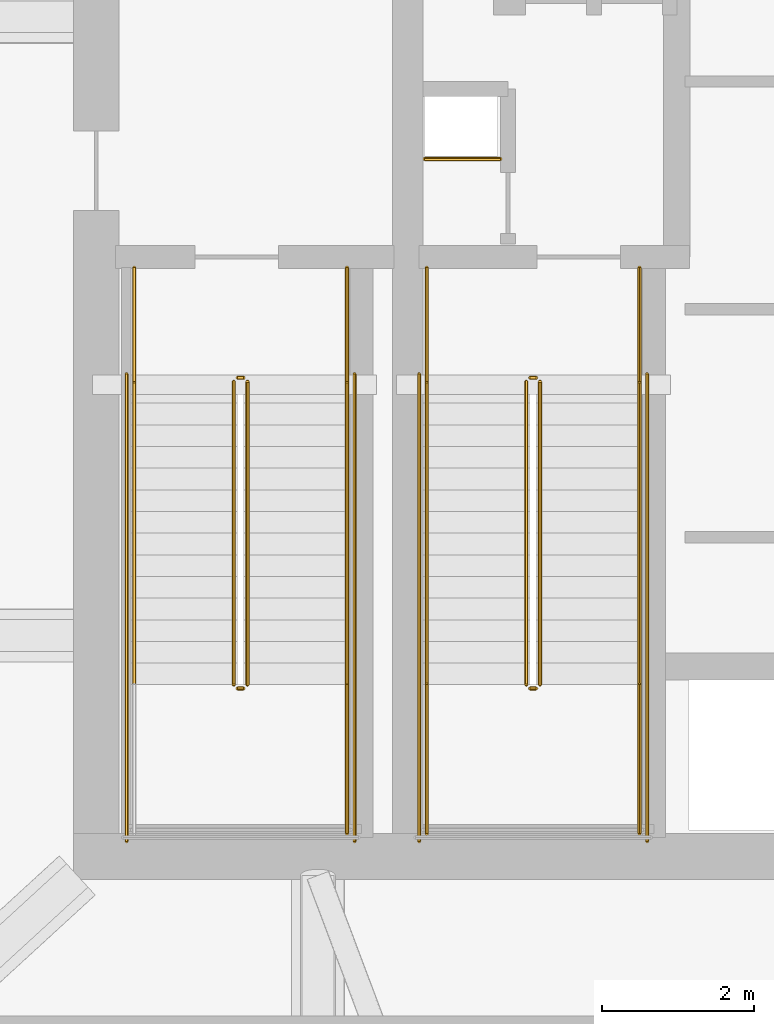
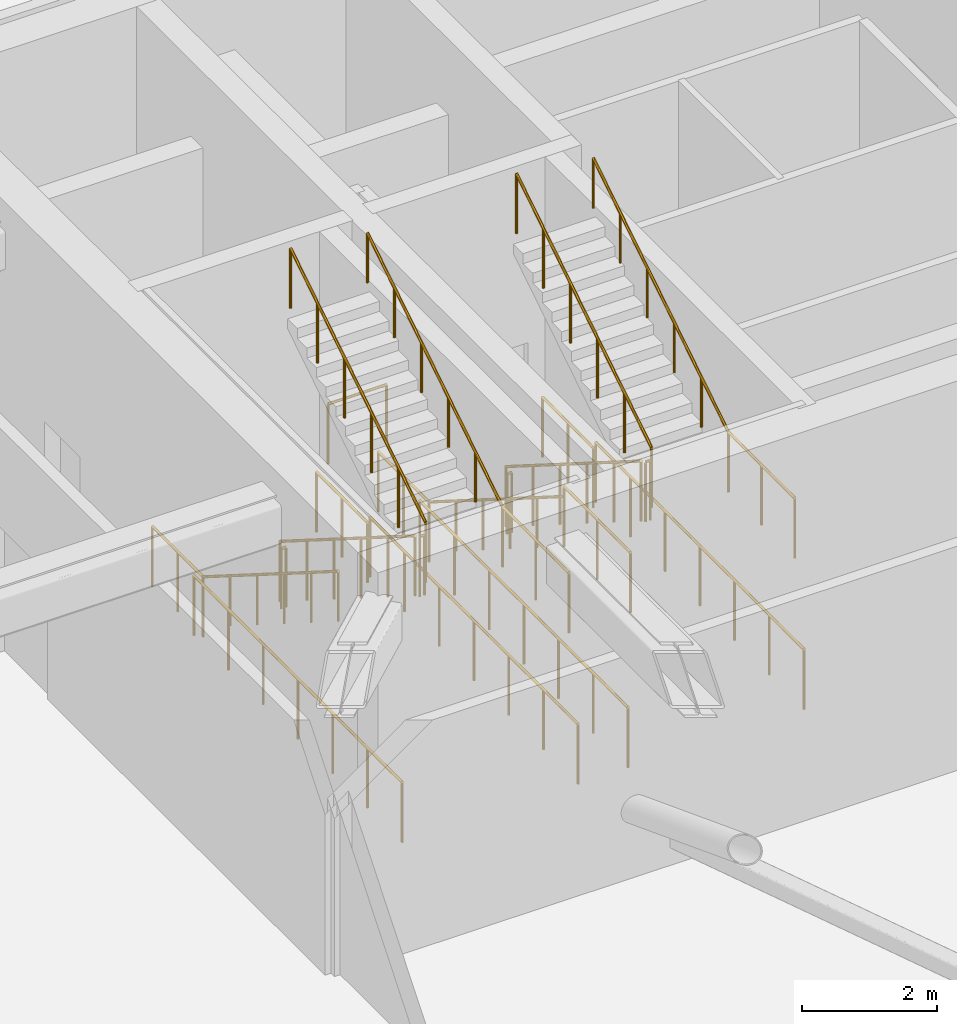
# One storey, part 11 of 13: 24 railings.
"""IFC4 building model written with IfcOpenShell, lengths in metres."""

import ifcopenshell
import ifcopenshell.guid

model = None  # the IFC model being written
_history = None  # IfcOwnerHistory: only IFC2X3 demands one
_inside = {}  # id of a spatial element -> (the spatial element, [elements in it])
_under = {}  # id of a project, library or spatial element -> (it, [spatial elements below it])
_declared = {}  # id of a project -> (the project, [libraries it declares])
_typed = {}  # id of a type object -> (the type object, [elements of that type])
_made_of = {}  # id of a material, layer set ... -> (it, [elements and type objects made of it])


def new_model(schema):
    """Start an empty IFC model of exactly this schema.

    Asked for "IFC4X3", IfcOpenShell would pick the latest addendum, in which some entities
    have other attributes; the version numbers below select the first issue.
    IFC2X3 requires an IfcOwnerHistory on every rooted entity: one is made here for all.
    """
    global model, _history
    if schema == "IFC4X3":
        model = ifcopenshell.file(schema_version=(4, 3, 0, 0))
    else:
        model = ifcopenshell.file(schema=schema)
    _inside.clear()
    _under.clear()
    _declared.clear()
    _typed.clear()
    _made_of.clear()
    _history = None
    if model.schema == "IFC2X3":
        org = make("IfcOrganization", Name="unknown")
        user = make(
            "IfcPersonAndOrganization",
            ThePerson=make("IfcPerson", FamilyName="unknown"),
            TheOrganization=org,
        )
        app = make(
            "IfcApplication",
            ApplicationDeveloper=org,
            Version="unknown",
            ApplicationFullName="unknown",
            ApplicationIdentifier="unknown",
        )
        _history = make(
            "IfcOwnerHistory",
            OwningUser=user,
            OwningApplication=app,
            ChangeAction="ADDED",
            CreationDate=0,
        )
    return model


def make(cls, **values):
    """One entity of the class cls with the attributes given. An attribute that is None is left unset."""
    return model.create_entity(
        cls, **{name: value for name, value in values.items() if value is not None}
    )


def rooted(cls, **values):
    """An entity with a GlobalId (a new one), such as an element, a storey or a relation."""
    return make(cls, GlobalId=ifcopenshell.guid.new(), OwnerHistory=_history, **values)


def si_unit(unit_type, name, prefix=None):
    """IfcSIUnit, for example si_unit("LENGTHUNIT", "METRE", prefix="MILLI")."""
    return make("IfcSIUnit", UnitType=unit_type, Prefix=prefix, Name=name)


def assignment(units):
    """IfcUnitAssignment: the units of a project."""
    return None if units is None else make("IfcUnitAssignment", Units=units)


def point(xyz):
    """IfcCartesianPoint."""
    return None if xyz is None else make("IfcCartesianPoint", Coordinates=xyz)


def direction(xyz):
    """IfcDirection."""
    return None if xyz is None else make("IfcDirection", DirectionRatios=xyz)


def frame(location, z_axis=None, x_axis=None):
    """IfcAxis2Placement3D, a coordinate frame: its origin and axes. An axis left out is left unset."""
    return make(
        "IfcAxis2Placement3D",
        Location=point(location),
        Axis=direction(z_axis),
        RefDirection=direction(x_axis),
    )


def frame_2d(location, x_axis=None):
    """IfcAxis2Placement2D, a coordinate frame in the plane: its origin and x axis."""
    return make(
        "IfcAxis2Placement2D", Location=point(location), RefDirection=direction(x_axis)
    )


def origin():
    """The frame at (0, 0, 0) with its axes left unset."""
    return frame((0.0, 0.0, 0.0))


def origin_2d():
    """The frame at (0, 0) in the plane with its x axis left unset."""
    return frame_2d((0.0, 0.0))


def place(relative_to, where):
    """IfcLocalPlacement: puts the frame where relative to a parent placement (None: the world)."""
    return make(
        "IfcLocalPlacement", PlacementRelTo=relative_to, RelativePlacement=where
    )


def context(
    kind, dimensions, precision=None, world=None, true_north=None, identifier=None
):
    """IfcGeometricRepresentationContext, for example the 3D "Model" context."""
    return make(
        "IfcGeometricRepresentationContext",
        ContextIdentifier=identifier,
        ContextType=kind,
        CoordinateSpaceDimension=dimensions,
        Precision=precision,
        WorldCoordinateSystem=world,
        TrueNorth=true_north,
    )


def subcontext(parent, identifier, kind, view, scale=None):
    """IfcGeometricRepresentationSubContext, for example "Body" below "Model"."""
    return make(
        "IfcGeometricRepresentationSubContext",
        ContextIdentifier=identifier,
        ContextType=kind,
        ParentContext=parent,
        TargetScale=scale,
        TargetView=view,
    )


def project(units=None, contexts=None):
    """IfcProject with its units and contexts."""
    return rooted(
        "IfcProject",
        Name="project",
        RepresentationContexts=contexts,
        UnitsInContext=assignment(units),
    )


def spatial(cls, under=None, at=None, **own):
    """A site, building, storey or space (cls), placed at a placement, below another one or the project."""
    s = rooted(cls, ObjectPlacement=at, **own)
    if under is not None:
        _under.setdefault(under.id(), (under, []))[1].append(s)
    return s


def profile(cls, at=None, kind="AREA", **sizes):
    """A parametric profile (cls). Its sizes go by their IFC names, for example OverallWidth=200.0."""
    return make(cls, ProfileType=kind, Position=at, **sizes)


def circle(**sizes):
    """IfcCircleProfileDef."""
    return profile("IfcCircleProfileDef", **sizes)


def extrude(swept, where, along, depth):
    """IfcExtrudedAreaSolid: the profile swept, set in the frame where, extruded along a direction by depth."""
    return make(
        "IfcExtrudedAreaSolid",
        SweptArea=swept,
        Position=where,
        ExtrudedDirection=direction(along),
        Depth=depth,
    )


def shape(context_of_items, identifier, shape_type, items):
    """IfcShapeRepresentation: the items that make up one representation, for example the "Body"."""
    return make(
        "IfcShapeRepresentation",
        ContextOfItems=context_of_items,
        RepresentationIdentifier=identifier,
        RepresentationType=shape_type,
        Items=items,
    )


def material(Name=None, Category=None):
    """IfcMaterial."""
    return make("IfcMaterial", Name=Name, Category=Category)


def made_of(thing, what):
    """Note that an element or type object is made of a material, layer set ...; save() writes the relation."""
    if what is not None:
        _made_of.setdefault(what.id(), (what, []))[1].append(thing)
    return thing


def type_object(cls, material=None, **own):
    """A type object (cls), such as IfcWallType, which elements share."""
    return made_of(rooted(cls, **own), material)


def element(
    cls,
    number,
    at=None,
    inside=None,
    cuts=None,
    type_object=None,
    material=None,
    context=None,
    identifier="Body",
    shape_type=None,
    held_by="IfcProductDefinitionShape",
    body=None,
    shapes=None,
    **own,
):
    """One element of the class cls, such as IfcWall. Its Tag is "e" and its number.

    at: its placement. inside: the storey or other place that contains it. cuts: it is an
    opening in that element (IfcRelVoidsElement). A single representation is given by context,
    identifier, shape_type and body (its items); several are given by shapes. held_by: the class
    of the entity that holds the representations. save() writes the other relations.
    """
    e = rooted(cls, Tag="e%d" % number, ObjectPlacement=at, **own)
    if body is not None:
        shapes = [shape(context, identifier, shape_type, body)]
    if shapes is not None:
        e.Representation = make(held_by, Representations=shapes)
    if inside is not None:
        _inside.setdefault(inside.id(), (inside, []))[1].append(e)
    if cuts is not None:
        rooted(
            "IfcRelVoidsElement", RelatingBuildingElement=cuts, RelatedOpeningElement=e
        )
    if type_object is not None:
        _typed.setdefault(type_object.id(), (type_object, []))[1].append(e)
    return made_of(e, material)


def aggregate(whole, parts):
    """IfcRelAggregates: a whole, such as a stair, and the parts it consists of."""
    return rooted("IfcRelAggregates", RelatingObject=whole, RelatedObjects=parts)


def save(model, path):
    """Write the relations noted so far, then the file.

    IfcRelAggregates (storeys below a building ...), IfcRelContainedInSpatialStructure (elements
    in a storey), IfcRelDefinesByType, IfcRelAssociatesMaterial and IfcRelDeclares: one each for
    every whole, place, type object, material and project.
    """
    for whole, parts in _under.values():
        aggregate(whole, parts)
    for where, things in _inside.values():
        rooted(
            "IfcRelContainedInSpatialStructure",
            RelatedElements=things,
            RelatingStructure=where,
        )
    for kind, things in _typed.values():
        rooted("IfcRelDefinesByType", RelatedObjects=things, RelatingType=kind)
    for what, things in _made_of.values():
        rooted("IfcRelAssociatesMaterial", RelatedObjects=things, RelatingMaterial=what)
    for by, libraries in _declared.values():
        rooted("IfcRelDeclares", RelatingContext=by, RelatedDefinitions=libraries)
    model.write(path)


model = new_model("IFC4")

# Units and contexts
model_context = context("Model", 3, precision=1e-05, world=origin(), true_north=direction((0.0, 1.0)))
body_context = subcontext(model_context, "Body", "Model", "MODEL_VIEW")
ifc_project = project(units=[si_unit("LENGTHUNIT", "METRE"), si_unit("AREAUNIT", "SQUARE_METRE"), si_unit("VOLUMEUNIT", "CUBIC_METRE"), si_unit("PLANEANGLEUNIT", "RADIAN"), si_unit("MASSUNIT", "GRAM", prefix="KILO")], contexts=[model_context])

# Site, building, storey
site_placement = place(None, origin())
site = spatial("IfcSite", under=ifc_project, at=site_placement, CompositionType="ELEMENT")
building_placement = place(site_placement, origin())
building = spatial("IfcBuilding", under=site, at=building_placement, Name="Bramvorn Convention Spire", CompositionType="ELEMENT")
storey_placement = place(building_placement, frame((0.0, 0.0, 97.39990234375)))
storey = spatial("IfcBuildingStorey", under=building, at=storey_placement, Name="L23", CompositionType="ELEMENT", Elevation=97.39990234375)

# Railings
ifc_material_1 = material(Name="Painted Steel Balustrade & Guardrail", Category="steel")
railing_type_1 = type_object("IfcRailingType", Name="RL-STAIR-GUARD-1100", PredefinedType="GUARDRAIL", material=ifc_material_1)
railing_1_placement = place(storey_placement, frame((28.81005859375, 25.050048828125, 0.18017578125)))
element("IfcRailing", 1, at=railing_1_placement, inside=storey, type_object=railing_type_1, Name="L23 ST1 stair guard 1", PredefinedType="GUARDRAIL", context=body_context, shape_type="SweptSolid", body=[
    extrude(circle(Radius=0.02392578125, at=origin_2d()), frame((0.0, 0.0, 1.076171875), z_axis=(0.0, -0.845486444383, 0.533996884227), x_axis=(1.0, 0.0, 0.0)), (0.0, 0.0, 1.0), 4.71923828125),
    extrude(circle(Radius=0.02099609375, at=origin_2d()), origin(), (0.0, 0.0, 1.0), 1.052001953125),
    extrude(circle(Radius=0.02099609375, at=origin_2d()), frame((0.0, -0.798095703125, 0.50390625)), (0.0, 0.0, 1.0), 1.052001953125),
    extrude(circle(Radius=0.02099609375, at=origin_2d()), frame((0.0, -1.595947265625, 1.008056640625)), (0.0, 0.0, 1.0), 1.052001953125),
    extrude(circle(Radius=0.02099609375, at=origin_2d()), frame((0.0, -2.39404296875, 1.511962890625)), (0.0, 0.0, 1.0), 1.052001953125),
    extrude(circle(Radius=0.02099609375, at=origin_2d()), frame((0.0, -3.19189453125, 2.01611328125)), (0.0, 0.0, 1.0), 1.052001953125),
    extrude(circle(Radius=0.02099609375, at=origin_2d()), frame((0.0, -3.989990234375, 2.52001953125)), (0.0, 0.0, 1.0), 1.052001953125),
])
railing_2_placement = place(storey_placement, frame((28.860107421875, 21.010009765625, 2.7001953125)))
element("IfcRailing", 2, at=railing_2_placement, inside=storey, type_object=railing_type_1, Name="L23 ST1 stair guard 2", PredefinedType="GUARDRAIL", context=body_context, shape_type="SweptSolid", body=[
    extrude(circle(Radius=0.02392578125, at=origin_2d()), frame((0.0, 0.0, 1.076171875), z_axis=(1.0, 0.0, 0.0), x_axis=(0.0, 1.0, 0.0)), (0.0, 0.0, 1.0), 0.079833984375),
    extrude(circle(Radius=0.02099609375, at=origin_2d()), origin(), (0.0, 0.0, 1.0), 1.052001953125),
    extrude(circle(Radius=0.02099609375, at=origin_2d()), frame((0.079833984375, 0.0, 0.0)), (0.0, 0.0, 1.0), 1.052001953125),
])
railing_3_placement = place(storey_placement, frame((30.300048828125, 21.06005859375, 2.7001953125)))
element("IfcRailing", 3, at=railing_3_placement, inside=storey, type_object=railing_type_1, Name="L23 ST1 stair guard 4", PredefinedType="GUARDRAIL", context=body_context, shape_type="SweptSolid", body=[
    extrude(circle(Radius=0.02392578125, at=origin_2d()), frame((0.0, 0.0, 1.076171875), z_axis=(0.0, -1.0, 0.0), x_axis=(1.0, 0.0, 0.0)), (0.0, 0.0, 1.0), 1.9599609375),
    extrude(circle(Radius=0.02099609375, at=origin_2d()), origin(), (0.0, 0.0, 1.0), 1.052001953125),
    extrude(circle(Radius=0.02099609375, at=origin_2d()), frame((0.0, -0.97998046875, 0.0)), (0.0, 0.0, 1.0), 1.052001953125),
    extrude(circle(Radius=0.02099609375, at=origin_2d()), frame((0.0, -1.9599609375, 0.0)), (0.0, 0.0, 1.0), 1.052001953125),
])
railing_4_placement = place(storey_placement, frame((28.989990234375, 21.06005859375, 2.880126953125)))
element("IfcRailing", 4, at=railing_4_placement, inside=storey, type_object=railing_type_1, Name="L23 ST1 stair guard 6", PredefinedType="GUARDRAIL", context=body_context, shape_type="SweptSolid", body=[
    extrude(circle(Radius=0.02392578125, at=origin_2d()), frame((0.0, 0.0, 1.076171875), z_axis=(0.0, 0.845486444383, 0.533996884227), x_axis=(-1.0, 0.0, 0.0)), (0.0, 0.0, 1.0), 4.71923828125),
    extrude(circle(Radius=0.02099609375, at=origin_2d()), origin(), (0.0, 0.0, 1.0), 1.052001953125),
    extrude(circle(Radius=0.02099609375, at=origin_2d()), frame((0.0, 0.798095703125, 0.50390625)), (0.0, 0.0, 1.0), 1.052001953125),
    extrude(circle(Radius=0.02099609375, at=origin_2d()), frame((0.0, 1.595947265625, 1.008056640625)), (0.0, 0.0, 1.0), 1.052001953125),
    extrude(circle(Radius=0.02099609375, at=origin_2d()), frame((0.0, 2.39404296875, 1.511962890625)), (0.0, 0.0, 1.0), 1.052001953125),
    extrude(circle(Radius=0.02099609375, at=origin_2d()), frame((0.0, 3.19189453125, 2.01611328125)), (0.0, 0.0, 1.0), 1.052001953125),
    extrude(circle(Radius=0.02099609375, at=origin_2d()), frame((0.0, 3.989990234375, 2.52001953125)), (0.0, 0.0, 1.0), 1.052001953125),
])
railing_5_placement = place(storey_placement, frame((28.860107421875, 25.10009765625, 0.0)))
element("IfcRailing", 5, at=railing_5_placement, inside=storey, type_object=railing_type_1, Name="L23 ST1 stair guard 7", PredefinedType="GUARDRAIL", context=body_context, shape_type="SweptSolid", body=[
    extrude(circle(Radius=0.02392578125, at=origin_2d()), frame((0.0, 0.0, 1.076171875), z_axis=(1.0, 0.0, 0.0), x_axis=(0.0, 1.0, 0.0)), (0.0, 0.0, 1.0), 0.079833984375),
    extrude(circle(Radius=0.02099609375, at=origin_2d()), origin(), (0.0, 0.0, 1.0), 1.052001953125),
    extrude(circle(Radius=0.02099609375, at=origin_2d()), frame((0.079833984375, 0.0, 0.0)), (0.0, 0.0, 1.0), 1.052001953125),
])
for number, where, name in (
    (6, (27.5, 26.550048828125, 0.0), "L23 ST1 stair guard 8"),
    (7, (30.300048828125, 26.550048828125, 0.0), "L23 ST1 stair guard 9"),
):
    element("IfcRailing", number, at=place(storey_placement, frame(where)), inside=storey, type_object=railing_type_1, Name=name, PredefinedType="GUARDRAIL", context=body_context, shape_type="SweptSolid", body=[
        extrude(circle(Radius=0.02392578125, at=origin_2d()), frame((0.0, 0.0, 1.076171875), z_axis=(0.0, -1.0, 0.0), x_axis=(1.0, 0.0, 0.0)), (0.0, 0.0, 1.0), 1.5),
        extrude(circle(Radius=0.02099609375, at=origin_2d()), origin(), (0.0, 0.0, 1.0), 1.052001953125),
        extrude(circle(Radius=0.02099609375, at=origin_2d()), frame((0.0, -0.75, 0.0)), (0.0, 0.0, 1.0), 1.052001953125),
        extrude(circle(Radius=0.02099609375, at=origin_2d()), frame((0.0, -1.5, 0.0)), (0.0, 0.0, 1.0), 1.052001953125),
    ])
for number, where, name in (
    (8, (27.39990234375, 25.14990234375, 0.0), "L23 ST1 stair guard 10"),
    (9, (30.39990234375, 25.14990234375, 0.0), "L23 ST1 stair guard 11"),
):
    element("IfcRailing", number, at=place(storey_placement, frame(where)), inside=storey, type_object=railing_type_1, Name=name, PredefinedType="GUARDRAIL", context=body_context, shape_type="SweptSolid", body=[
        extrude(circle(Radius=0.02392578125, at=origin_2d()), frame((0.0, 0.0, 1.076171875), z_axis=(0.0, -1.0, 0.0), x_axis=(1.0, 0.0, 0.0)), (0.0, 0.0, 1.0), 6.14990234375),
        extrude(circle(Radius=0.02099609375, at=origin_2d()), origin(), (0.0, 0.0, 1.0), 1.052001953125),
        extrude(circle(Radius=0.02099609375, at=origin_2d()), frame((0.0, -1.02490234375, 0.0)), (0.0, 0.0, 1.0), 1.052001953125),
        extrude(circle(Radius=0.02099609375, at=origin_2d()), frame((0.0, -2.050048828125, 0.0)), (0.0, 0.0, 1.0), 1.052001953125),
        extrude(circle(Radius=0.02099609375, at=origin_2d()), frame((0.0, -3.074951171875, 0.0)), (0.0, 0.0, 1.0), 1.052001953125),
        extrude(circle(Radius=0.02099609375, at=origin_2d()), frame((0.0, -4.099853515625, 0.0)), (0.0, 0.0, 1.0), 1.052001953125),
        extrude(circle(Radius=0.02099609375, at=origin_2d()), frame((0.0, -5.125, 0.0)), (0.0, 0.0, 1.0), 1.052001953125),
        extrude(circle(Radius=0.02099609375, at=origin_2d()), frame((0.0, -6.14990234375, 0.0)), (0.0, 0.0, 1.0), 1.052001953125),
    ])
railing_6_placement = place(storey_placement, frame((32.659912109375, 25.050048828125, 0.18017578125)))
element("IfcRailing", 10, at=railing_6_placement, inside=storey, type_object=railing_type_1, Name="L23 ST3 stair guard 1", PredefinedType="GUARDRAIL", context=body_context, shape_type="SweptSolid", body=[
    extrude(circle(Radius=0.02392578125, at=origin_2d()), frame((0.0, 0.0, 1.076171875), z_axis=(0.0, -0.845486444383, 0.533996884227), x_axis=(1.0, 0.0, 0.0)), (0.0, 0.0, 1.0), 4.71923828125),
    extrude(circle(Radius=0.02099609375, at=origin_2d()), origin(), (0.0, 0.0, 1.0), 1.052001953125),
    extrude(circle(Radius=0.02099609375, at=origin_2d()), frame((0.0, -0.798095703125, 0.50390625)), (0.0, 0.0, 1.0), 1.052001953125),
    extrude(circle(Radius=0.02099609375, at=origin_2d()), frame((0.0, -1.595947265625, 1.008056640625)), (0.0, 0.0, 1.0), 1.052001953125),
    extrude(circle(Radius=0.02099609375, at=origin_2d()), frame((0.0, -2.39404296875, 1.511962890625)), (0.0, 0.0, 1.0), 1.052001953125),
    extrude(circle(Radius=0.02099609375, at=origin_2d()), frame((0.0, -3.19189453125, 2.01611328125)), (0.0, 0.0, 1.0), 1.052001953125),
    extrude(circle(Radius=0.02099609375, at=origin_2d()), frame((0.0, -3.989990234375, 2.52001953125)), (0.0, 0.0, 1.0), 1.052001953125),
])
railing_7_placement = place(storey_placement, frame((32.7099609375, 21.010009765625, 2.7001953125)))
element("IfcRailing", 11, at=railing_7_placement, inside=storey, type_object=railing_type_1, Name="L23 ST3 stair guard 2", PredefinedType="GUARDRAIL", context=body_context, shape_type="SweptSolid", body=[
    extrude(circle(Radius=0.02392578125, at=origin_2d()), frame((0.0, 0.0, 1.076171875), z_axis=(1.0, 0.0, 0.0), x_axis=(0.0, 1.0, 0.0)), (0.0, 0.0, 1.0), 0.080078125),
    extrude(circle(Radius=0.02099609375, at=origin_2d()), origin(), (0.0, 0.0, 1.0), 1.052001953125),
    extrude(circle(Radius=0.02099609375, at=origin_2d()), frame((0.080078125, 0.0, 0.0)), (0.0, 0.0, 1.0), 1.052001953125),
])
for number, where, name in (
    (12, (31.35009765625, 21.06005859375, 2.7001953125), "L23 ST3 stair guard 3"),
    (13, (34.14990234375, 21.06005859375, 2.7001953125), "L23 ST3 stair guard 4"),
):
    element("IfcRailing", number, at=place(storey_placement, frame(where)), inside=storey, type_object=railing_type_1, Name=name, PredefinedType="GUARDRAIL", context=body_context, shape_type="SweptSolid", body=[
        extrude(circle(Radius=0.02392578125, at=origin_2d()), frame((0.0, 0.0, 1.076171875), z_axis=(0.0, -1.0, 0.0), x_axis=(1.0, 0.0, 0.0)), (0.0, 0.0, 1.0), 1.9599609375),
        extrude(circle(Radius=0.02099609375, at=origin_2d()), origin(), (0.0, 0.0, 1.0), 1.052001953125),
        extrude(circle(Radius=0.02099609375, at=origin_2d()), frame((0.0, -0.97998046875, 0.0)), (0.0, 0.0, 1.0), 1.052001953125),
        extrude(circle(Radius=0.02099609375, at=origin_2d()), frame((0.0, -1.9599609375, 0.0)), (0.0, 0.0, 1.0), 1.052001953125),
    ])
railing_8_placement = place(storey_placement, frame((32.840087890625, 21.06005859375, 2.880126953125)))
element("IfcRailing", 14, at=railing_8_placement, inside=storey, type_object=railing_type_1, Name="L23 ST3 stair guard 6", PredefinedType="GUARDRAIL", context=body_context, shape_type="SweptSolid", body=[
    extrude(circle(Radius=0.02392578125, at=origin_2d()), frame((0.0, 0.0, 1.076171875), z_axis=(0.0, 0.845486444383, 0.533996884227), x_axis=(-1.0, 0.0, 0.0)), (0.0, 0.0, 1.0), 4.71923828125),
    extrude(circle(Radius=0.02099609375, at=origin_2d()), origin(), (0.0, 0.0, 1.0), 1.052001953125),
    extrude(circle(Radius=0.02099609375, at=origin_2d()), frame((0.0, 0.798095703125, 0.50390625)), (0.0, 0.0, 1.0), 1.052001953125),
    extrude(circle(Radius=0.02099609375, at=origin_2d()), frame((0.0, 1.595947265625, 1.008056640625)), (0.0, 0.0, 1.0), 1.052001953125),
    extrude(circle(Radius=0.02099609375, at=origin_2d()), frame((0.0, 2.39404296875, 1.511962890625)), (0.0, 0.0, 1.0), 1.052001953125),
    extrude(circle(Radius=0.02099609375, at=origin_2d()), frame((0.0, 3.19189453125, 2.01611328125)), (0.0, 0.0, 1.0), 1.052001953125),
    extrude(circle(Radius=0.02099609375, at=origin_2d()), frame((0.0, 3.989990234375, 2.52001953125)), (0.0, 0.0, 1.0), 1.052001953125),
])
railing_9_placement = place(storey_placement, frame((32.7099609375, 25.10009765625, 0.0)))
element("IfcRailing", 15, at=railing_9_placement, inside=storey, type_object=railing_type_1, Name="L23 ST3 stair guard 7", PredefinedType="GUARDRAIL", context=body_context, shape_type="SweptSolid", body=[
    extrude(circle(Radius=0.02392578125, at=origin_2d()), frame((0.0, 0.0, 1.076171875), z_axis=(1.0, 0.0, 0.0), x_axis=(0.0, 1.0, 0.0)), (0.0, 0.0, 1.0), 0.080078125),
    extrude(circle(Radius=0.02099609375, at=origin_2d()), origin(), (0.0, 0.0, 1.0), 1.052001953125),
    extrude(circle(Radius=0.02099609375, at=origin_2d()), frame((0.080078125, 0.0, 0.0)), (0.0, 0.0, 1.0), 1.052001953125),
])
for number, where, name in (
    (16, (31.35009765625, 26.550048828125, 0.0), "L23 ST3 stair guard 8"),
    (17, (34.14990234375, 26.550048828125, 0.0), "L23 ST3 stair guard 9"),
):
    element("IfcRailing", number, at=place(storey_placement, frame(where)), inside=storey, type_object=railing_type_1, Name=name, PredefinedType="GUARDRAIL", context=body_context, shape_type="SweptSolid", body=[
        extrude(circle(Radius=0.02392578125, at=origin_2d()), frame((0.0, 0.0, 1.076171875), z_axis=(0.0, -1.0, 0.0), x_axis=(1.0, 0.0, 0.0)), (0.0, 0.0, 1.0), 1.5),
        extrude(circle(Radius=0.02099609375, at=origin_2d()), origin(), (0.0, 0.0, 1.0), 1.052001953125),
        extrude(circle(Radius=0.02099609375, at=origin_2d()), frame((0.0, -0.75, 0.0)), (0.0, 0.0, 1.0), 1.052001953125),
        extrude(circle(Radius=0.02099609375, at=origin_2d()), frame((0.0, -1.5, 0.0)), (0.0, 0.0, 1.0), 1.052001953125),
    ])
for number, where, name in (
    (18, (31.25, 25.14990234375, 0.0), "L23 ST3 stair guard 10"),
    (19, (34.25, 25.14990234375, 0.0), "L23 ST3 stair guard 11"),
):
    element("IfcRailing", number, at=place(storey_placement, frame(where)), inside=storey, type_object=railing_type_1, Name=name, PredefinedType="GUARDRAIL", context=body_context, shape_type="SweptSolid", body=[
        extrude(circle(Radius=0.02392578125, at=origin_2d()), frame((0.0, 0.0, 1.076171875), z_axis=(0.0, -1.0, 0.0), x_axis=(1.0, 0.0, 0.0)), (0.0, 0.0, 1.0), 6.14990234375),
        extrude(circle(Radius=0.02099609375, at=origin_2d()), origin(), (0.0, 0.0, 1.0), 1.052001953125),
        extrude(circle(Radius=0.02099609375, at=origin_2d()), frame((0.0, -1.02490234375, 0.0)), (0.0, 0.0, 1.0), 1.052001953125),
        extrude(circle(Radius=0.02099609375, at=origin_2d()), frame((0.0, -2.050048828125, 0.0)), (0.0, 0.0, 1.0), 1.052001953125),
        extrude(circle(Radius=0.02099609375, at=origin_2d()), frame((0.0, -3.074951171875, 0.0)), (0.0, 0.0, 1.0), 1.052001953125),
        extrude(circle(Radius=0.02099609375, at=origin_2d()), frame((0.0, -4.099853515625, 0.0)), (0.0, 0.0, 1.0), 1.052001953125),
        extrude(circle(Radius=0.02099609375, at=origin_2d()), frame((0.0, -5.125, 0.0)), (0.0, 0.0, 1.0), 1.052001953125),
        extrude(circle(Radius=0.02099609375, at=origin_2d()), frame((0.0, -6.14990234375, 0.0)), (0.0, 0.0, 1.0), 1.052001953125),
    ])
railing_10_placement = place(storey_placement, frame((31.320068359375, 27.97998046875, 0.0)))
element("IfcRailing", 20, at=railing_10_placement, inside=storey, type_object=railing_type_1, Name="L23 Telecom riser shaft opening safety guardrail", PredefinedType="GUARDRAIL", context=body_context, shape_type="SweptSolid", body=[
    extrude(circle(Radius=0.02392578125, at=origin_2d()), frame((0.0, 0.0, 1.076171875), z_axis=(1.0, 0.0, 0.0), x_axis=(0.0, 1.0, 0.0)), (0.0, 0.0, 1.0), 1.0),
    extrude(circle(Radius=0.02099609375, at=origin_2d()), origin(), (0.0, 0.0, 1.0), 1.052001953125),
    extrude(circle(Radius=0.02099609375, at=origin_2d()), frame((1.0, 0.0, 0.0)), (0.0, 0.0, 1.0), 1.052001953125),
])
ifc_material_2 = material(Name="Brushed Bronze Tubular Handrail", Category="aluminium")
railing_type_2 = type_object("IfcRailingType", Name="RL-STAIR-HR-920", PredefinedType="HANDRAIL", material=ifc_material_2)
railing_11_placement = place(storey_placement, frame((27.5, 25.050048828125, 0.18017578125)))
element("IfcRailing", 21, at=railing_11_placement, inside=storey, type_object=railing_type_2, Name="L23 ST1 stair handrail 1", PredefinedType="HANDRAIL", context=body_context, shape_type="SweptSolid", body=[
    extrude(circle(Radius=0.02392578125, at=origin_2d()), frame((0.0, 0.0, 0.89599609375), z_axis=(0.0, -0.845486444383, 0.533996884227), x_axis=(1.0, 0.0, 0.0)), (0.0, 0.0, 1.0), 4.71923828125),
    extrude(circle(Radius=0.02099609375, at=origin_2d()), origin(), (0.0, 0.0, 1.0), 0.871826171875),
    extrude(circle(Radius=0.02099609375, at=origin_2d()), frame((0.0, -0.798095703125, 0.50390625)), (0.0, 0.0, 1.0), 0.871826171875),
    extrude(circle(Radius=0.02099609375, at=origin_2d()), frame((0.0, -1.595947265625, 1.008056640625)), (0.0, 0.0, 1.0), 0.871826171875),
    extrude(circle(Radius=0.02099609375, at=origin_2d()), frame((0.0, -2.39404296875, 1.511962890625)), (0.0, 0.0, 1.0), 0.871826171875),
    extrude(circle(Radius=0.02099609375, at=origin_2d()), frame((0.0, -3.19189453125, 2.01611328125)), (0.0, 0.0, 1.0), 0.871826171875),
    extrude(circle(Radius=0.02099609375, at=origin_2d()), frame((0.0, -3.989990234375, 2.52001953125)), (0.0, 0.0, 1.0), 0.871826171875),
])
railing_12_placement = place(storey_placement, frame((30.300048828125, 21.06005859375, 2.880126953125)))
element("IfcRailing", 22, at=railing_12_placement, inside=storey, type_object=railing_type_2, Name="L23 ST1 stair handrail 2", PredefinedType="HANDRAIL", context=body_context, shape_type="SweptSolid", body=[
    extrude(circle(Radius=0.02392578125, at=origin_2d()), frame((0.0, 0.0, 0.89599609375), z_axis=(0.0, 0.845486444383, 0.533996884227), x_axis=(-1.0, 0.0, 0.0)), (0.0, 0.0, 1.0), 4.71923828125),
    extrude(circle(Radius=0.02099609375, at=origin_2d()), origin(), (0.0, 0.0, 1.0), 0.871826171875),
    extrude(circle(Radius=0.02099609375, at=origin_2d()), frame((0.0, 0.798095703125, 0.50390625)), (0.0, 0.0, 1.0), 0.871826171875),
    extrude(circle(Radius=0.02099609375, at=origin_2d()), frame((0.0, 1.595947265625, 1.008056640625)), (0.0, 0.0, 1.0), 0.871826171875),
    extrude(circle(Radius=0.02099609375, at=origin_2d()), frame((0.0, 2.39404296875, 1.511962890625)), (0.0, 0.0, 1.0), 0.871826171875),
    extrude(circle(Radius=0.02099609375, at=origin_2d()), frame((0.0, 3.19189453125, 2.01611328125)), (0.0, 0.0, 1.0), 0.871826171875),
    extrude(circle(Radius=0.02099609375, at=origin_2d()), frame((0.0, 3.989990234375, 2.52001953125)), (0.0, 0.0, 1.0), 0.871826171875),
])
railing_13_placement = place(storey_placement, frame((31.35009765625, 25.050048828125, 0.18017578125)))
element("IfcRailing", 23, at=railing_13_placement, inside=storey, type_object=railing_type_2, Name="L23 ST3 stair handrail 1", PredefinedType="HANDRAIL", context=body_context, shape_type="SweptSolid", body=[
    extrude(circle(Radius=0.02392578125, at=origin_2d()), frame((0.0, 0.0, 0.89599609375), z_axis=(0.0, -0.845486444383, 0.533996884227), x_axis=(1.0, 0.0, 0.0)), (0.0, 0.0, 1.0), 4.71923828125),
    extrude(circle(Radius=0.02099609375, at=origin_2d()), origin(), (0.0, 0.0, 1.0), 0.871826171875),
    extrude(circle(Radius=0.02099609375, at=origin_2d()), frame((0.0, -0.798095703125, 0.50390625)), (0.0, 0.0, 1.0), 0.871826171875),
    extrude(circle(Radius=0.02099609375, at=origin_2d()), frame((0.0, -1.595947265625, 1.008056640625)), (0.0, 0.0, 1.0), 0.871826171875),
    extrude(circle(Radius=0.02099609375, at=origin_2d()), frame((0.0, -2.39404296875, 1.511962890625)), (0.0, 0.0, 1.0), 0.871826171875),
    extrude(circle(Radius=0.02099609375, at=origin_2d()), frame((0.0, -3.19189453125, 2.01611328125)), (0.0, 0.0, 1.0), 0.871826171875),
    extrude(circle(Radius=0.02099609375, at=origin_2d()), frame((0.0, -3.989990234375, 2.52001953125)), (0.0, 0.0, 1.0), 0.871826171875),
])
railing_14_placement = place(storey_placement, frame((34.14990234375, 21.06005859375, 2.880126953125)))
element("IfcRailing", 24, at=railing_14_placement, inside=storey, type_object=railing_type_2, Name="L23 ST3 stair handrail 2", PredefinedType="HANDRAIL", context=body_context, shape_type="SweptSolid", body=[
    extrude(circle(Radius=0.02392578125, at=origin_2d()), frame((0.0, 0.0, 0.89599609375), z_axis=(0.0, 0.845486444383, 0.533996884227), x_axis=(-1.0, 0.0, 0.0)), (0.0, 0.0, 1.0), 4.71923828125),
    extrude(circle(Radius=0.02099609375, at=origin_2d()), origin(), (0.0, 0.0, 1.0), 0.871826171875),
    extrude(circle(Radius=0.02099609375, at=origin_2d()), frame((0.0, 0.798095703125, 0.50390625)), (0.0, 0.0, 1.0), 0.871826171875),
    extrude(circle(Radius=0.02099609375, at=origin_2d()), frame((0.0, 1.595947265625, 1.008056640625)), (0.0, 0.0, 1.0), 0.871826171875),
    extrude(circle(Radius=0.02099609375, at=origin_2d()), frame((0.0, 2.39404296875, 1.511962890625)), (0.0, 0.0, 1.0), 0.871826171875),
    extrude(circle(Radius=0.02099609375, at=origin_2d()), frame((0.0, 3.19189453125, 2.01611328125)), (0.0, 0.0, 1.0), 0.871826171875),
    extrude(circle(Radius=0.02099609375, at=origin_2d()), frame((0.0, 3.989990234375, 2.52001953125)), (0.0, 0.0, 1.0), 0.871826171875),
])

save(model, "model.ifc")
